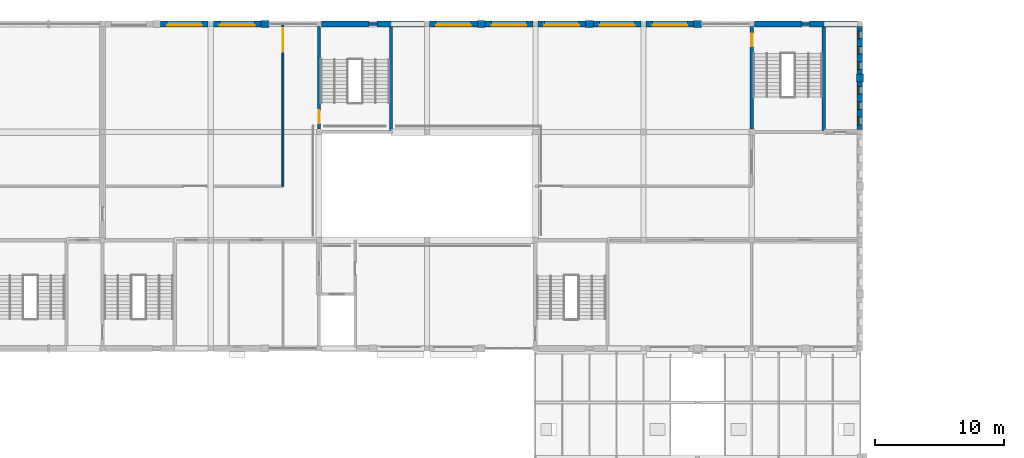
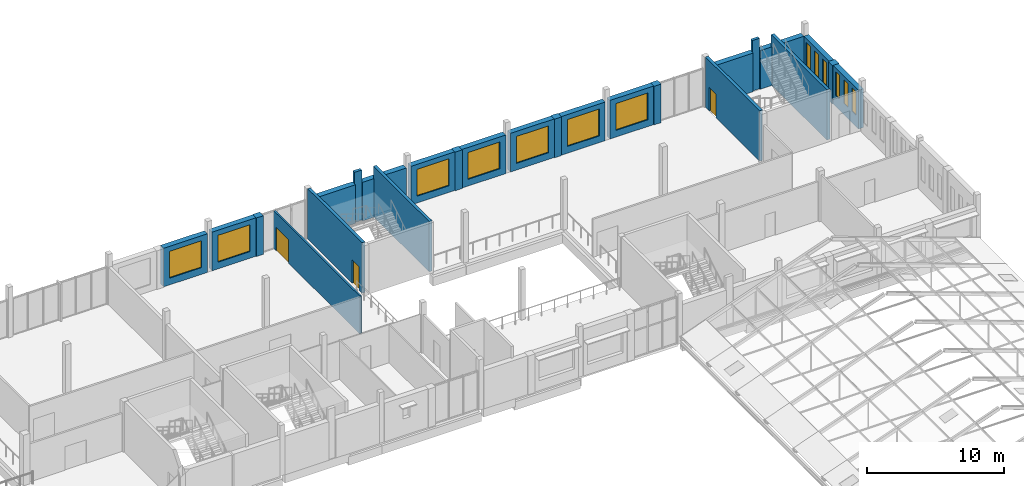
# One storey, part 105 of 116: 25 walls, 13 windows, 3 doors, 16 openings.
"""IFC4 building model written with IfcOpenShell, lengths in metres."""

import ifcopenshell
import ifcopenshell.guid

model = None  # the IFC model being written
_history = None  # IfcOwnerHistory: only IFC2X3 demands one
_inside = {}  # id of a spatial element -> (the spatial element, [elements in it])
_under = {}  # id of a project, library or spatial element -> (it, [spatial elements below it])
_declared = {}  # id of a project -> (the project, [libraries it declares])
_typed = {}  # id of a type object -> (the type object, [elements of that type])
_made_of = {}  # id of a material, layer set ... -> (it, [elements and type objects made of it])


def new_model(schema):
    """Start an empty IFC model of exactly this schema.

    Asked for "IFC4X3", IfcOpenShell would pick the latest addendum, in which some entities
    have other attributes; the version numbers below select the first issue.
    IFC2X3 requires an IfcOwnerHistory on every rooted entity: one is made here for all.
    """
    global model, _history
    if schema == "IFC4X3":
        model = ifcopenshell.file(schema_version=(4, 3, 0, 0))
    else:
        model = ifcopenshell.file(schema=schema)
    _inside.clear()
    _under.clear()
    _declared.clear()
    _typed.clear()
    _made_of.clear()
    _history = None
    if model.schema == "IFC2X3":
        org = make("IfcOrganization", Name="unknown")
        user = make(
            "IfcPersonAndOrganization",
            ThePerson=make("IfcPerson", FamilyName="unknown"),
            TheOrganization=org,
        )
        app = make(
            "IfcApplication",
            ApplicationDeveloper=org,
            Version="unknown",
            ApplicationFullName="unknown",
            ApplicationIdentifier="unknown",
        )
        _history = make(
            "IfcOwnerHistory",
            OwningUser=user,
            OwningApplication=app,
            ChangeAction="ADDED",
            CreationDate=0,
        )
    return model


def make(cls, **values):
    """One entity of the class cls with the attributes given. An attribute that is None is left unset."""
    return model.create_entity(
        cls, **{name: value for name, value in values.items() if value is not None}
    )


def rooted(cls, **values):
    """An entity with a GlobalId (a new one), such as an element, a storey or a relation."""
    return make(cls, GlobalId=ifcopenshell.guid.new(), OwnerHistory=_history, **values)


def si_unit(unit_type, name, prefix=None):
    """IfcSIUnit, for example si_unit("LENGTHUNIT", "METRE", prefix="MILLI")."""
    return make("IfcSIUnit", UnitType=unit_type, Prefix=prefix, Name=name)


def assignment(units):
    """IfcUnitAssignment: the units of a project."""
    return None if units is None else make("IfcUnitAssignment", Units=units)


def point(xyz):
    """IfcCartesianPoint."""
    return None if xyz is None else make("IfcCartesianPoint", Coordinates=xyz)


def direction(xyz):
    """IfcDirection."""
    return None if xyz is None else make("IfcDirection", DirectionRatios=xyz)


def frame(location, z_axis=None, x_axis=None):
    """IfcAxis2Placement3D, a coordinate frame: its origin and axes. An axis left out is left unset."""
    return make(
        "IfcAxis2Placement3D",
        Location=point(location),
        Axis=direction(z_axis),
        RefDirection=direction(x_axis),
    )


def frame_2d(location, x_axis=None):
    """IfcAxis2Placement2D, a coordinate frame in the plane: its origin and x axis."""
    return make(
        "IfcAxis2Placement2D", Location=point(location), RefDirection=direction(x_axis)
    )


def origin():
    """The frame at (0, 0, 0) with its axes left unset."""
    return frame((0.0, 0.0, 0.0))


def place(relative_to, where):
    """IfcLocalPlacement: puts the frame where relative to a parent placement (None: the world)."""
    return make(
        "IfcLocalPlacement", PlacementRelTo=relative_to, RelativePlacement=where
    )


def context(
    kind, dimensions, precision=None, world=None, true_north=None, identifier=None
):
    """IfcGeometricRepresentationContext, for example the 3D "Model" context."""
    return make(
        "IfcGeometricRepresentationContext",
        ContextIdentifier=identifier,
        ContextType=kind,
        CoordinateSpaceDimension=dimensions,
        Precision=precision,
        WorldCoordinateSystem=world,
        TrueNorth=true_north,
    )


def subcontext(parent, identifier, kind, view, scale=None):
    """IfcGeometricRepresentationSubContext, for example "Body" below "Model"."""
    return make(
        "IfcGeometricRepresentationSubContext",
        ContextIdentifier=identifier,
        ContextType=kind,
        ParentContext=parent,
        TargetScale=scale,
        TargetView=view,
    )


def project(units=None, contexts=None):
    """IfcProject with its units and contexts."""
    return rooted(
        "IfcProject",
        Name="project",
        RepresentationContexts=contexts,
        UnitsInContext=assignment(units),
    )


def spatial(cls, under=None, at=None, **own):
    """A site, building, storey or space (cls), placed at a placement, below another one or the project."""
    s = rooted(cls, ObjectPlacement=at, **own)
    if under is not None:
        _under.setdefault(under.id(), (under, []))[1].append(s)
    return s


def profile(cls, at=None, kind="AREA", **sizes):
    """A parametric profile (cls). Its sizes go by their IFC names, for example OverallWidth=200.0."""
    return make(cls, ProfileType=kind, Position=at, **sizes)


def rectangle(**sizes):
    """IfcRectangleProfileDef."""
    return profile("IfcRectangleProfileDef", **sizes)


def extrude(swept, where, along, depth):
    """IfcExtrudedAreaSolid: the profile swept, set in the frame where, extruded along a direction by depth."""
    return make(
        "IfcExtrudedAreaSolid",
        SweptArea=swept,
        Position=where,
        ExtrudedDirection=direction(along),
        Depth=depth,
    )


def shape(context_of_items, identifier, shape_type, items):
    """IfcShapeRepresentation: the items that make up one representation, for example the "Body"."""
    return make(
        "IfcShapeRepresentation",
        ContextOfItems=context_of_items,
        RepresentationIdentifier=identifier,
        RepresentationType=shape_type,
        Items=items,
    )


def material(Name=None, Category=None):
    """IfcMaterial."""
    return make("IfcMaterial", Name=Name, Category=Category)


def layer(
    of_material, thickness, ventilated=None, Name=None, Category=None, Priority=None
):
    """IfcMaterialLayer: one layer of a wall or slab, of a material (None: an air gap)."""
    return make(
        "IfcMaterialLayer",
        Material=of_material,
        LayerThickness=thickness,
        IsVentilated=ventilated,
        Name=Name,
        Category=Category,
        Priority=Priority,
    )


def layer_set(layers, Name=None):
    """IfcMaterialLayerSet."""
    return make("IfcMaterialLayerSet", MaterialLayers=layers, LayerSetName=Name)


def made_of(thing, what):
    """Note that an element or type object is made of a material, layer set ...; save() writes the relation."""
    if what is not None:
        _made_of.setdefault(what.id(), (what, []))[1].append(thing)
    return thing


def type_object(cls, material=None, **own):
    """A type object (cls), such as IfcWallType, which elements share."""
    return made_of(rooted(cls, **own), material)


def element(
    cls,
    number,
    at=None,
    inside=None,
    cuts=None,
    type_object=None,
    material=None,
    context=None,
    identifier="Body",
    shape_type=None,
    held_by="IfcProductDefinitionShape",
    body=None,
    shapes=None,
    **own,
):
    """One element of the class cls, such as IfcWall. Its Tag is "e" and its number.

    at: its placement. inside: the storey or other place that contains it. cuts: it is an
    opening in that element (IfcRelVoidsElement). A single representation is given by context,
    identifier, shape_type and body (its items); several are given by shapes. held_by: the class
    of the entity that holds the representations. save() writes the other relations.
    """
    e = rooted(cls, Tag="e%d" % number, ObjectPlacement=at, **own)
    if body is not None:
        shapes = [shape(context, identifier, shape_type, body)]
    if shapes is not None:
        e.Representation = make(held_by, Representations=shapes)
    if inside is not None:
        _inside.setdefault(inside.id(), (inside, []))[1].append(e)
    if cuts is not None:
        rooted(
            "IfcRelVoidsElement", RelatingBuildingElement=cuts, RelatedOpeningElement=e
        )
    if type_object is not None:
        _typed.setdefault(type_object.id(), (type_object, []))[1].append(e)
    return made_of(e, material)


def fill(opening, filler):
    """IfcRelFillsElement: the door or window that sits in an opening."""
    return rooted(
        "IfcRelFillsElement",
        RelatingOpeningElement=opening,
        RelatedBuildingElement=filler,
    )


def aggregate(whole, parts):
    """IfcRelAggregates: a whole, such as a stair, and the parts it consists of."""
    return rooted("IfcRelAggregates", RelatingObject=whole, RelatedObjects=parts)


def save(model, path):
    """Write the relations noted so far, then the file.

    IfcRelAggregates (storeys below a building ...), IfcRelContainedInSpatialStructure (elements
    in a storey), IfcRelDefinesByType, IfcRelAssociatesMaterial and IfcRelDeclares: one each for
    every whole, place, type object, material and project.
    """
    for whole, parts in _under.values():
        aggregate(whole, parts)
    for where, things in _inside.values():
        rooted(
            "IfcRelContainedInSpatialStructure",
            RelatedElements=things,
            RelatingStructure=where,
        )
    for kind, things in _typed.values():
        rooted("IfcRelDefinesByType", RelatedObjects=things, RelatingType=kind)
    for what, things in _made_of.values():
        rooted("IfcRelAssociatesMaterial", RelatedObjects=things, RelatingMaterial=what)
    for by, libraries in _declared.values():
        rooted("IfcRelDeclares", RelatingContext=by, RelatedDefinitions=libraries)
    model.write(path)


model = new_model("IFC4")

# Units and contexts
model_context = context("Model", 3, precision=1e-05, world=origin(), true_north=direction((0.0, 1.0)))
body_context = subcontext(model_context, "Body", "Model", "MODEL_VIEW")
ifc_project = project(units=[si_unit("LENGTHUNIT", "METRE"), si_unit("AREAUNIT", "SQUARE_METRE"), si_unit("VOLUMEUNIT", "CUBIC_METRE"), si_unit("PLANEANGLEUNIT", "RADIAN"), si_unit("MASSUNIT", "GRAM", prefix="KILO")], contexts=[model_context])

# Site, building, storey
site_placement = place(None, origin())
site = spatial("IfcSite", under=ifc_project, at=site_placement, CompositionType="ELEMENT")
building_placement = place(site_placement, origin())
building = spatial("IfcBuilding", under=site, at=building_placement, Name="Fescue Hill Polytechnic", CompositionType="ELEMENT")
storey_placement = place(building_placement, frame((0.0, 0.0, 13.5)))
storey = spatial("IfcBuildingStorey", under=building, at=storey_placement, Name="L03", CompositionType="ELEMENT", Elevation=13.5)

# Walls
ifc_material_1 = material(Name="Clay brick masonry", Category="masonry")
ifc_layer_1 = layer(ifc_material_1, 0.550048828125)
ifc_layer_set_1 = layer_set([ifc_layer_1], Name="Clay brick masonry")
wall_type_1 = type_object("IfcWallType", Name="Brick pier 600x550", PredefinedType="SOLIDWALL", material=ifc_layer_set_1)
for number, where, z_axis, x_axis, name in (
    (1, (117.60009765625, 129.89990234375, 0.0), (0.0, 0.0, 1.0), (0.0, 1.0, 0.0), "PR-L03-V4b-10"),
    (2, (105.300048828125, 134.39990234375, 0.0), (0.0, 0.0, 1.0), (-1.0, 0.0, 0.0), "PR-L03-V4b-12"),
):
    element("IfcWall", number, at=place(storey_placement, frame(where, z_axis=z_axis, x_axis=x_axis)), inside=storey, type_object=wall_type_1, Name=name, PredefinedType="SOLIDWALL", context=body_context, shape_type="SweptSolid", body=[
        extrude(rectangle(XDim=0.60009765625, YDim=0.550048828125, at=frame_2d((0.300048828125, 0.0))), origin(), (0.0, 0.0, 1.0), 3.449951171875),
    ])
wall_1_placement = place(storey_placement, frame((96.89990234375, 134.39990234375, 0.0), z_axis=(0.0, 0.0, 1.0), x_axis=(-1.0, 0.0, 0.0)))
element("IfcWall", 3, at=wall_1_placement, inside=storey, type_object=wall_type_1, Name="PR-L03-V4b-13", PredefinedType="SOLIDWALL", context=body_context, shape_type="SweptSolid", body=[
    extrude(rectangle(XDim=0.599853515625, YDim=0.550048828125, at=frame_2d((0.2998046875, 0.0))), origin(), (0.0, 0.0, 1.0), 3.449951171875),
])
wall_2_placement = place(storey_placement, frame((88.5, 134.39990234375, 0.0), z_axis=(0.0, 0.0, 1.0), x_axis=(-1.0, 0.0, 0.0)))
element("IfcWall", 4, at=wall_2_placement, inside=storey, type_object=wall_type_1, Name="PR-L03-V4b-14", PredefinedType="SOLIDWALL", context=body_context, shape_type="SweptSolid", body=[
    extrude(rectangle(XDim=0.60009765625, YDim=0.550048828125, at=frame_2d((0.300048828125, 0.0))), origin(), (0.0, 0.0, 1.0), 3.449951171875),
])
wall_3_placement = place(storey_placement, frame((71.699951171875, 134.39990234375, 0.0), z_axis=(0.0, 0.0, 1.0), x_axis=(-1.0, 0.0, 0.0)))
element("IfcWall", 5, at=wall_3_placement, inside=storey, type_object=wall_type_1, Name="PR-L03-V4b-16", PredefinedType="SOLIDWALL", context=body_context, shape_type="SweptSolid", body=[
    extrude(rectangle(XDim=0.599853515625, YDim=0.550048828125, at=frame_2d((0.2998046875, 0.0))), origin(), (0.0, 0.0, 1.0), 3.449951171875),
])

# Wall, opening, door
ifc_material_2 = material(Name="Concrete 40 MPa", Category="concrete")
ifc_layer_2 = layer(ifc_material_2, 0.25)
ifc_layer_set_2 = layer_set([ifc_layer_2], Name="Concrete 40 MPa")
wall_type_2 = type_object("IfcWallType", Name="Core wall 250", PredefinedType="SHEAR", material=ifc_layer_set_2)
wall_4_placement = place(storey_placement, frame((109.199951171875, 126.25, 0.0), z_axis=(0.0, 0.0, 1.0), x_axis=(0.0, 1.0, 0.0)))
wall_4 = element("IfcWall", 6, at=wall_4_placement, inside=storey, type_object=wall_type_2, Name="CW-L03-ST-V4b-2-31", PredefinedType="SHEAR", context=body_context, shape_type="SweptSolid", body=[
    extrude(rectangle(XDim=7.949951171875, YDim=0.25, at=frame_2d((3.97509765625, 0.0))), origin(), (0.0, 0.0, 1.0), 4.5),
])
opening_1_placement = place(wall_4_placement, frame((6.39990234375, 0.0, 0.0)))
opening_1 = element("IfcOpeningElement", 7, at=opening_1_placement, cuts=wall_4, Name="Opening D3046", PredefinedType="OPENING", context=body_context, shape_type="SweptSolid", body=[
    extrude(rectangle(XDim=1.0, YDim=2.10009765625, at=frame_2d((0.5, 1.050048828125))), frame((0.0, 0.135009765625, 0.0), z_axis=(0.0, -1.0, 0.0), x_axis=(1.0, 0.0, 0.0)), (0.0, 0.0, 1.0), 0.27001953125),
])
ifc_material_3 = material(Name="Steel fire door", Category="steel")
door_type_1 = type_object("IfcDoorType", Name="Door single swing 1000x2100 stair fire rated", OperationType="NOTDEFINED", PredefinedType="DOOR", material=ifc_material_3)
door_1_placement = place(opening_1_placement, origin())
door_1 = element("IfcDoor", 8, at=door_1_placement, inside=storey, type_object=door_type_1, Name="L03 ST-V4b-2 stair door", OperationType="SINGLE_SWING_LEFT", OverallHeight=2.10009765625, OverallWidth=1.0, PredefinedType="DOOR", context=body_context, shape_type="SweptSolid", body=[
    extrude(rectangle(XDim=1.0, YDim=2.10009765625, at=frame_2d((0.5, 1.050048828125))), frame((0.0, 0.02490234375, 0.0), z_axis=(0.0, -1.0, 0.0), x_axis=(1.0, 0.0, 0.0)), (0.0, 0.0, 1.0), 0.050048828125),
])
fill(opening_1, door_1)

# Wall
wall_5_placement = place(storey_placement, frame((114.800048828125, 126.125, 0.0), z_axis=(0.0, 0.0, 1.0), x_axis=(0.0, 1.0, 0.0)))
element("IfcWall", 9, at=wall_5_placement, inside=storey, type_object=wall_type_2, Name="CW-L03-ST-V4b-2-41", PredefinedType="SHEAR", context=body_context, shape_type="SweptSolid", body=[
    extrude(rectangle(XDim=8.14990234375, YDim=0.25, at=frame_2d((4.074951171875, 0.0))), origin(), (0.0, 0.0, 1.0), 4.5),
])

# Wall, opening, door
wall_6_placement = place(storey_placement, frame((75.60009765625, 126.22509765625, 0.0), z_axis=(0.0, 0.0, 1.0), x_axis=(0.0, 1.0, 0.0)))
wall_6 = element("IfcWall", 10, at=wall_6_placement, inside=storey, type_object=wall_type_2, Name="CW-L03-ST-V4b-4-31", PredefinedType="SHEAR", context=body_context, shape_type="SweptSolid", body=[
    extrude(rectangle(XDim=7.974853515625, YDim=0.25, at=frame_2d((3.9873046875, 0.0))), origin(), (0.0, 0.0, 1.0), 4.5),
])
opening_2_placement = place(wall_6_placement, frame((0.449951171875, 0.0, 0.0)))
opening_2 = element("IfcOpeningElement", 11, at=opening_2_placement, cuts=wall_6, Name="Opening D3048", PredefinedType="OPENING", context=body_context, shape_type="SweptSolid", body=[
    extrude(rectangle(XDim=1.0, YDim=2.10009765625, at=frame_2d((0.5, 1.050048828125))), frame((0.0, 0.135009765625, 0.0), z_axis=(0.0, -1.0, 0.0), x_axis=(1.0, 0.0, 0.0)), (0.0, 0.0, 1.0), 0.27001953125),
])
door_2_placement = place(opening_2_placement, origin())
door_2 = element("IfcDoor", 12, at=door_2_placement, inside=storey, type_object=door_type_1, Name="L03 ST-V4b-4 stair door", OperationType="SINGLE_SWING_LEFT", OverallHeight=2.10009765625, OverallWidth=1.0, PredefinedType="DOOR", context=body_context, shape_type="SweptSolid", body=[
    extrude(rectangle(XDim=1.0, YDim=2.10009765625, at=frame_2d((0.5, 1.050048828125))), frame((0.0, 0.02490234375, 0.0), z_axis=(0.0, -1.0, 0.0), x_axis=(1.0, 0.0, 0.0)), (0.0, 0.0, 1.0), 0.050048828125),
])
fill(opening_2, door_2)

# Walls
wall_7_placement = place(storey_placement, frame((81.199951171875, 126.125, 0.0), z_axis=(0.0, 0.0, 1.0), x_axis=(0.0, 1.0, 0.0)))
element("IfcWall", 13, at=wall_7_placement, inside=storey, type_object=wall_type_2, Name="CW-L03-ST-V4b-4-41", PredefinedType="SHEAR", context=body_context, shape_type="SweptSolid", body=[
    extrude(rectangle(XDim=8.14990234375, YDim=0.25, at=frame_2d((4.074951171875, 0.0))), origin(), (0.0, 0.0, 1.0), 4.5),
])
wall_8_placement = place(storey_placement, frame((113.10009765625, 134.39990234375, 0.0), z_axis=(0.0, 0.0, 1.0), x_axis=(1.0, 0.0, 0.0)))
element("IfcWall", 14, at=wall_8_placement, inside=storey, type_object=wall_type_2, Name="SCW-L03-ST-V4b-2-n1", PredefinedType="SHEAR", context=body_context, shape_type="SweptSolid", body=[
    extrude(rectangle(XDim=0.599853515625, YDim=0.25, at=frame_2d((0.2998046875, 0.0))), origin(), (0.0, 0.0, 1.0), 4.5),
])
wall_9_placement = place(storey_placement, frame((79.5, 134.39990234375, 0.0), z_axis=(0.0, 0.0, 1.0), x_axis=(1.0, 0.0, 0.0)))
element("IfcWall", 15, at=wall_9_placement, inside=storey, type_object=wall_type_2, Name="SCW-L03-ST-V4b-4-n1", PredefinedType="SHEAR", context=body_context, shape_type="SweptSolid", body=[
    extrude(rectangle(XDim=0.60009765625, YDim=0.25, at=frame_2d((0.300048828125, 0.0))), origin(), (0.0, 0.0, 1.0), 4.5),
])

# Wall, opening, door
ifc_material_4 = material(Name="Gypsum board partition")
ifc_layer_3 = layer(ifc_material_4, 0.14990234375)
ifc_layer_set_3 = layer_set([ifc_layer_3], Name="Gypsum board partition")
wall_type_3 = type_object("IfcWallType", Name="Corridor wall 150 EI 45", PredefinedType="PARTITIONING", material=ifc_layer_set_3)
wall_10_placement = place(storey_placement, frame((72.800048828125, 121.800048828125, 0.0), z_axis=(0.0, 0.0, 1.0), x_axis=(0.0, 1.0, 0.0)))
wall_10 = element("IfcWall", 16, at=wall_10_placement, inside=storey, type_object=wall_type_3, Name="IW-L03-055", PredefinedType="PARTITIONING", context=body_context, shape_type="SweptSolid", body=[
    extrude(rectangle(XDim=12.599853515625, YDim=0.14990234375, at=frame_2d((6.2998046875, 0.0))), origin(), (0.0, 0.0, 1.0), 3.3701171875),
])
opening_3_placement = place(wall_10_placement, frame((10.449951171875, 0.0, 0.0)))
opening_3 = element("IfcOpeningElement", 17, at=opening_3_placement, cuts=wall_10, Name="Opening D3033", PredefinedType="OPENING", context=body_context, shape_type="SweptSolid", body=[
    extrude(rectangle(XDim=1.800048828125, YDim=2.10009765625, at=frame_2d((0.89990234375, 1.050048828125))), frame((0.0, 0.0849609375, 0.0), z_axis=(0.0, -1.0, 0.0), x_axis=(1.0, 0.0, 0.0)), (0.0, 0.0, 1.0), 0.169921875),
])
ifc_material_5 = material(Name="Timber", Category="wood")
door_type_2 = type_object("IfcDoorType", Name="Door double swing 1800x2100 FD30S", OperationType="DOUBLE_DOOR_SINGLE_SWING", PredefinedType="DOOR", material=ifc_material_5)
door_3_placement = place(opening_3_placement, origin())
door_3 = element("IfcDoor", 18, at=door_3_placement, inside=storey, type_object=door_type_2, Name="Door D3033", OperationType="DOUBLE_DOOR_SINGLE_SWING", OverallHeight=2.10009765625, OverallWidth=1.800048828125, PredefinedType="DOOR", context=body_context, shape_type="SweptSolid", body=[
    extrude(rectangle(XDim=1.800048828125, YDim=2.10009765625, at=frame_2d((0.89990234375, 1.050048828125))), frame((0.0, 0.02490234375, 0.0), z_axis=(0.0, -1.0, 0.0), x_axis=(1.0, 0.0, 0.0)), (0.0, 0.0, 1.0), 0.050048828125),
])
fill(opening_3, door_3)

# Wall, opening, window
ifc_layer_4 = layer(ifc_material_2, 0.449951171875)
ifc_layer_set_4 = layer_set([ifc_layer_4], Name="Concrete 40 MPa")
wall_type_4 = type_object("IfcWallType", Name="Exterior wall board-marked concrete 450", PredefinedType="SOLIDWALL", material=ifc_layer_set_4)
wall_11_placement = place(storey_placement, frame((104.699951171875, 134.39990234375, 0.0), z_axis=(0.0, 0.0, 1.0), x_axis=(-1.0, 0.0, 0.0)))
wall_11 = element("IfcWall", 19, at=wall_11_placement, inside=storey, type_object=wall_type_4, Name="EW-L03-V4b-24", PredefinedType="SOLIDWALL", context=body_context, shape_type="SweptSolid", body=[
    extrude(rectangle(XDim=3.699951171875, YDim=0.449951171875, at=frame_2d((1.85009765625, 0.0))), origin(), (0.0, 0.0, 1.0), 3.449951171875),
])
opening_4_placement = place(wall_11_placement, frame((0.5, 0.0, 0.60009765625)))
opening_4 = element("IfcOpeningElement", 20, at=opening_4_placement, cuts=wall_11, Name="Opening W16R", PredefinedType="OPENING", context=body_context, shape_type="SweptSolid", body=[
    extrude(rectangle(XDim=2.699951171875, YDim=2.39990234375, at=frame_2d((1.35009765625, 1.199951171875))), frame((0.0, 0.23486328125, 0.0), z_axis=(0.0, -1.0, 0.0), x_axis=(1.0, 0.0, 0.0)), (0.0, 0.0, 1.0), 0.469970703125),
])
ifc_material_6 = material(Name="Powder-coated aluminium and glass", Category="aluminium")
window_type_1 = type_object("IfcWindowType", Name="Window studio north-light 2700x2400", PartitioningType="TRIPLE_PANEL_VERTICAL", PredefinedType="WINDOW", material=ifc_material_6)
window_1_placement = place(opening_4_placement, origin())
window_1 = element("IfcWindow", 21, at=window_1_placement, inside=storey, type_object=window_type_1, Name="WN-L03-V4b-26", OverallHeight=2.39990234375, OverallWidth=2.699951171875, PartitioningType="SINGLE_PANEL", PredefinedType="WINDOW", context=body_context, shape_type="SweptSolid", body=[
    extrude(rectangle(XDim=2.699951171875, YDim=2.39990234375, at=frame_2d((1.35009765625, 1.199951171875))), frame((0.0, 0.135009765625, 0.0), z_axis=(0.0, -1.0, 0.0), x_axis=(1.0, 0.0, 0.0)), (0.0, 0.0, 1.0), 0.06005859375),
])
fill(opening_4, window_1)

wall_12_placement = place(storey_placement, frame((100.60009765625, 134.39990234375, 0.0), z_axis=(0.0, 0.0, 1.0), x_axis=(-1.0, 0.0, 0.0)))
wall_12 = element("IfcWall", 22, at=wall_12_placement, inside=storey, type_object=wall_type_4, Name="EW-L03-V4b-25", PredefinedType="SOLIDWALL", context=body_context, shape_type="SweptSolid", body=[
    extrude(rectangle(XDim=3.7001953125, YDim=0.449951171875, at=frame_2d((1.85009765625, 0.0))), origin(), (0.0, 0.0, 1.0), 3.449951171875),
])
opening_5_placement = place(wall_12_placement, frame((0.5, 0.0, 0.60009765625)))
opening_5 = element("IfcOpeningElement", 23, at=opening_5_placement, cuts=wall_12, Name="Opening W16R", PredefinedType="OPENING", context=body_context, shape_type="SweptSolid", body=[
    extrude(rectangle(XDim=2.699951171875, YDim=2.39990234375, at=frame_2d((1.35009765625, 1.199951171875))), frame((0.0, 0.23486328125, 0.0), z_axis=(0.0, -1.0, 0.0), x_axis=(1.0, 0.0, 0.0)), (0.0, 0.0, 1.0), 0.469970703125),
])
window_2_placement = place(opening_5_placement, origin())
window_2 = element("IfcWindow", 24, at=window_2_placement, inside=storey, type_object=window_type_1, Name="WN-L03-V4b-27", OverallHeight=2.39990234375, OverallWidth=2.699951171875, PartitioningType="SINGLE_PANEL", PredefinedType="WINDOW", context=body_context, shape_type="SweptSolid", body=[
    extrude(rectangle(XDim=2.699951171875, YDim=2.39990234375, at=frame_2d((1.35009765625, 1.199951171875))), frame((0.0, 0.135009765625, 0.0), z_axis=(0.0, -1.0, 0.0), x_axis=(1.0, 0.0, 0.0)), (0.0, 0.0, 1.0), 0.06005859375),
])
fill(opening_5, window_2)

wall_13_placement = place(storey_placement, frame((96.300048828125, 134.39990234375, 0.0), z_axis=(0.0, 0.0, 1.0), x_axis=(-1.0, 0.0, 0.0)))
wall_13 = element("IfcWall", 25, at=wall_13_placement, inside=storey, type_object=wall_type_4, Name="EW-L03-V4b-26", PredefinedType="SOLIDWALL", context=body_context, shape_type="SweptSolid", body=[
    extrude(rectangle(XDim=3.699951171875, YDim=0.449951171875, at=frame_2d((1.85009765625, 0.0))), origin(), (0.0, 0.0, 1.0), 3.449951171875),
])
opening_6_placement = place(wall_13_placement, frame((0.5, 0.0, 0.60009765625)))
opening_6 = element("IfcOpeningElement", 26, at=opening_6_placement, cuts=wall_13, Name="Opening W16R", PredefinedType="OPENING", context=body_context, shape_type="SweptSolid", body=[
    extrude(rectangle(XDim=2.699951171875, YDim=2.39990234375, at=frame_2d((1.35009765625, 1.199951171875))), frame((0.0, 0.23486328125, 0.0), z_axis=(0.0, -1.0, 0.0), x_axis=(1.0, 0.0, 0.0)), (0.0, 0.0, 1.0), 0.469970703125),
])
window_3_placement = place(opening_6_placement, origin())
window_3 = element("IfcWindow", 27, at=window_3_placement, inside=storey, type_object=window_type_1, Name="WN-L03-V4b-28", OverallHeight=2.39990234375, OverallWidth=2.699951171875, PartitioningType="SINGLE_PANEL", PredefinedType="WINDOW", context=body_context, shape_type="SweptSolid", body=[
    extrude(rectangle(XDim=2.699951171875, YDim=2.39990234375, at=frame_2d((1.35009765625, 1.199951171875))), frame((0.0, 0.135009765625, 0.0), z_axis=(0.0, -1.0, 0.0), x_axis=(1.0, 0.0, 0.0)), (0.0, 0.0, 1.0), 0.06005859375),
])
fill(opening_6, window_3)

wall_14_placement = place(storey_placement, frame((92.199951171875, 134.39990234375, 0.0), z_axis=(0.0, 0.0, 1.0), x_axis=(-1.0, 0.0, 0.0)))
wall_14 = element("IfcWall", 28, at=wall_14_placement, inside=storey, type_object=wall_type_4, Name="EW-L03-V4b-27", PredefinedType="SOLIDWALL", context=body_context, shape_type="SweptSolid", body=[
    extrude(rectangle(XDim=3.699951171875, YDim=0.449951171875, at=frame_2d((1.85009765625, 0.0))), origin(), (0.0, 0.0, 1.0), 3.449951171875),
])
opening_7_placement = place(wall_14_placement, frame((0.5, 0.0, 0.60009765625)))
opening_7 = element("IfcOpeningElement", 29, at=opening_7_placement, cuts=wall_14, Name="Opening W16R", PredefinedType="OPENING", context=body_context, shape_type="SweptSolid", body=[
    extrude(rectangle(XDim=2.699951171875, YDim=2.39990234375, at=frame_2d((1.35009765625, 1.199951171875))), frame((0.0, 0.23486328125, 0.0), z_axis=(0.0, -1.0, 0.0), x_axis=(1.0, 0.0, 0.0)), (0.0, 0.0, 1.0), 0.469970703125),
])
window_4_placement = place(opening_7_placement, origin())
window_4 = element("IfcWindow", 30, at=window_4_placement, inside=storey, type_object=window_type_1, Name="WN-L03-V4b-29", OverallHeight=2.39990234375, OverallWidth=2.699951171875, PartitioningType="SINGLE_PANEL", PredefinedType="WINDOW", context=body_context, shape_type="SweptSolid", body=[
    extrude(rectangle(XDim=2.699951171875, YDim=2.39990234375, at=frame_2d((1.35009765625, 1.199951171875))), frame((0.0, 0.135009765625, 0.0), z_axis=(0.0, -1.0, 0.0), x_axis=(1.0, 0.0, 0.0)), (0.0, 0.0, 1.0), 0.06005859375),
])
fill(opening_7, window_4)

wall_15_placement = place(storey_placement, frame((87.89990234375, 134.39990234375, 0.0), z_axis=(0.0, 0.0, 1.0), x_axis=(-1.0, 0.0, 0.0)))
wall_15 = element("IfcWall", 31, at=wall_15_placement, inside=storey, type_object=wall_type_4, Name="EW-L03-V4b-28", PredefinedType="SOLIDWALL", context=body_context, shape_type="SweptSolid", body=[
    extrude(rectangle(XDim=3.699951171875, YDim=0.449951171875, at=frame_2d((1.85009765625, 0.0))), origin(), (0.0, 0.0, 1.0), 3.449951171875),
])
opening_8_placement = place(wall_15_placement, frame((0.5, 0.0, 0.60009765625)))
opening_8 = element("IfcOpeningElement", 32, at=opening_8_placement, cuts=wall_15, Name="Opening W16R", PredefinedType="OPENING", context=body_context, shape_type="SweptSolid", body=[
    extrude(rectangle(XDim=2.699951171875, YDim=2.39990234375, at=frame_2d((1.35009765625, 1.199951171875))), frame((0.0, 0.23486328125, 0.0), z_axis=(0.0, -1.0, 0.0), x_axis=(1.0, 0.0, 0.0)), (0.0, 0.0, 1.0), 0.469970703125),
])
window_5_placement = place(opening_8_placement, origin())
window_5 = element("IfcWindow", 33, at=window_5_placement, inside=storey, type_object=window_type_1, Name="WN-L03-V4b-30", OverallHeight=2.39990234375, OverallWidth=2.699951171875, PartitioningType="SINGLE_PANEL", PredefinedType="WINDOW", context=body_context, shape_type="SweptSolid", body=[
    extrude(rectangle(XDim=2.699951171875, YDim=2.39990234375, at=frame_2d((1.35009765625, 1.199951171875))), frame((0.0, 0.135009765625, 0.0), z_axis=(0.0, -1.0, 0.0), x_axis=(1.0, 0.0, 0.0)), (0.0, 0.0, 1.0), 0.06005859375),
])
fill(opening_8, window_5)

wall_16_placement = place(storey_placement, frame((71.10009765625, 134.39990234375, 0.0), z_axis=(0.0, 0.0, 1.0), x_axis=(-1.0, 0.0, 0.0)))
wall_16 = element("IfcWall", 34, at=wall_16_placement, inside=storey, type_object=wall_type_4, Name="EW-L03-V4b-32", PredefinedType="SOLIDWALL", context=body_context, shape_type="SweptSolid", body=[
    extrude(rectangle(XDim=3.7001953125, YDim=0.449951171875, at=frame_2d((1.85009765625, 0.0))), origin(), (0.0, 0.0, 1.0), 3.449951171875),
])
opening_9_placement = place(wall_16_placement, frame((0.5, 0.0, 0.60009765625)))
opening_9 = element("IfcOpeningElement", 35, at=opening_9_placement, cuts=wall_16, Name="Opening W16R", PredefinedType="OPENING", context=body_context, shape_type="SweptSolid", body=[
    extrude(rectangle(XDim=2.699951171875, YDim=2.39990234375, at=frame_2d((1.35009765625, 1.199951171875))), frame((0.0, 0.23486328125, 0.0), z_axis=(0.0, -1.0, 0.0), x_axis=(1.0, 0.0, 0.0)), (0.0, 0.0, 1.0), 0.469970703125),
])
window_6_placement = place(opening_9_placement, origin())
window_6 = element("IfcWindow", 36, at=window_6_placement, inside=storey, type_object=window_type_1, Name="WN-L03-V4b-31", OverallHeight=2.39990234375, OverallWidth=2.699951171875, PartitioningType="SINGLE_PANEL", PredefinedType="WINDOW", context=body_context, shape_type="SweptSolid", body=[
    extrude(rectangle(XDim=2.699951171875, YDim=2.39990234375, at=frame_2d((1.35009765625, 1.199951171875))), frame((0.0, 0.135009765625, 0.0), z_axis=(0.0, -1.0, 0.0), x_axis=(1.0, 0.0, 0.0)), (0.0, 0.0, 1.0), 0.06005859375),
])
fill(opening_9, window_6)

wall_17_placement = place(storey_placement, frame((67.0, 134.39990234375, 0.0), z_axis=(0.0, 0.0, 1.0), x_axis=(-1.0, 0.0, 0.0)))
wall_17 = element("IfcWall", 37, at=wall_17_placement, inside=storey, type_object=wall_type_4, Name="EW-L03-V4b-33", PredefinedType="SOLIDWALL", context=body_context, shape_type="SweptSolid", body=[
    extrude(rectangle(XDim=3.699951171875, YDim=0.449951171875, at=frame_2d((1.85009765625, 0.0))), origin(), (0.0, 0.0, 1.0), 3.449951171875),
])
opening_10_placement = place(wall_17_placement, frame((0.5, 0.0, 0.60009765625)))
opening_10 = element("IfcOpeningElement", 38, at=opening_10_placement, cuts=wall_17, Name="Opening W16R", PredefinedType="OPENING", context=body_context, shape_type="SweptSolid", body=[
    extrude(rectangle(XDim=2.699951171875, YDim=2.39990234375, at=frame_2d((1.35009765625, 1.199951171875))), frame((0.0, 0.23486328125, 0.0), z_axis=(0.0, -1.0, 0.0), x_axis=(1.0, 0.0, 0.0)), (0.0, 0.0, 1.0), 0.469970703125),
])
window_7_placement = place(opening_10_placement, origin())
window_7 = element("IfcWindow", 39, at=window_7_placement, inside=storey, type_object=window_type_1, Name="WN-L03-V4b-32", OverallHeight=2.39990234375, OverallWidth=2.699951171875, PartitioningType="SINGLE_PANEL", PredefinedType="WINDOW", context=body_context, shape_type="SweptSolid", body=[
    extrude(rectangle(XDim=2.699951171875, YDim=2.39990234375, at=frame_2d((1.35009765625, 1.199951171875))), frame((0.0, 0.135009765625, 0.0), z_axis=(0.0, -1.0, 0.0), x_axis=(1.0, 0.0, 0.0)), (0.0, 0.0, 1.0), 0.06005859375),
])
fill(opening_10, window_7)

# Walls
ifc_layer_5 = layer(ifc_material_2, 0.449951171875)
ifc_layer_set_5 = layer_set([ifc_layer_5], Name="Concrete 40 MPa")
wall_type_5 = type_object("IfcWallType", Name="Exterior wall board-marked concrete 450 load-bearing", PredefinedType="SOLIDWALL", material=ifc_layer_set_5)
wall_18_placement = place(storey_placement, frame((117.39990234375, 134.39990234375, 0.0), z_axis=(0.0, 0.0, 1.0), x_axis=(-1.0, 0.0, 0.0)))
element("IfcWall", 40, at=wall_18_placement, inside=storey, type_object=wall_type_5, Name="EW-L03-V4b-21", PredefinedType="SOLIDWALL", context=body_context, shape_type="SweptSolid", body=[
    extrude(rectangle(XDim=3.699951171875, YDim=0.449951171875, at=frame_2d((1.85009765625, 0.0))), origin(), (0.0, 0.0, 1.0), 3.449951171875),
])
wall_19_placement = place(storey_placement, frame((113.10009765625, 134.39990234375, 0.0), z_axis=(0.0, 0.0, 1.0), x_axis=(-1.0, 0.0, 0.0)))
element("IfcWall", 41, at=wall_19_placement, inside=storey, type_object=wall_type_5, Name="EW-L03-V4b-22", PredefinedType="SOLIDWALL", context=body_context, shape_type="SweptSolid", body=[
    extrude(rectangle(XDim=3.7001953125, YDim=0.449951171875, at=frame_2d((1.85009765625, 0.0))), origin(), (0.0, 0.0, 1.0), 3.449951171875),
])
for number, where, z_axis, x_axis, name in (
    (42, (83.800048828125, 134.39990234375, 0.0), (0.0, 0.0, 1.0), (-1.0, 0.0, 0.0), "EW-L03-V4b-29"),
    (43, (79.5, 134.39990234375, 0.0), (0.0, 0.0, 1.0), (-1.0, 0.0, 0.0), "EW-L03-V4b-30"),
):
    element("IfcWall", number, at=place(storey_placement, frame(where, z_axis=z_axis, x_axis=x_axis)), inside=storey, type_object=wall_type_5, Name=name, PredefinedType="SOLIDWALL", context=body_context, shape_type="SweptSolid", body=[
        extrude(rectangle(XDim=3.699951171875, YDim=0.449951171875, at=frame_2d((1.85009765625, 0.0))), origin(), (0.0, 0.0, 1.0), 3.449951171875),
    ])

# Wall, openings, windows
ifc_layer_6 = layer(ifc_material_1, 0.419921875)
ifc_layer_set_6 = layer_set([ifc_layer_6], Name="Clay brick masonry")
wall_type_6 = type_object("IfcWallType", Name="Exterior wall buff-red brick cavity 420", PredefinedType="SOLIDWALL", material=ifc_layer_set_6)
wall_20_placement = place(storey_placement, frame((117.60009765625, 126.199951171875, 0.0), z_axis=(0.0, 0.0, 1.0), x_axis=(0.0, 1.0, 0.0)))
wall_20 = element("IfcWall", 44, at=wall_20_placement, inside=storey, type_object=wall_type_6, Name="EW-L03-V4b-19", PredefinedType="SOLIDWALL", context=body_context, shape_type="SweptSolid", body=[
    extrude(rectangle(XDim=3.699951171875, YDim=0.419921875, at=frame_2d((1.85009765625, 0.0))), origin(), (0.0, 0.0, 1.0), 3.449951171875),
])
opening_11_placement = place(wall_20_placement, frame((0.35009765625, 0.0, 1.0)))
opening_11 = element("IfcOpeningElement", 45, at=opening_11_placement, cuts=wall_20, Name="Opening W6", PredefinedType="OPENING", context=body_context, shape_type="SweptSolid", body=[
    extrude(rectangle(XDim=0.60009765625, YDim=2.10009765625, at=frame_2d((0.300048828125, 1.050048828125))), frame((0.0, 0.219970703125, 0.0), z_axis=(0.0, -1.0, 0.0), x_axis=(1.0, 0.0, 0.0)), (0.0, 0.0, 1.0), 0.43994140625),
])
opening_12_placement = place(wall_20_placement, frame((1.550048828125, 0.0, 1.0)))
opening_12 = element("IfcOpeningElement", 46, at=opening_12_placement, cuts=wall_20, Name="Opening W6", PredefinedType="OPENING", context=body_context, shape_type="SweptSolid", body=[
    extrude(rectangle(XDim=0.60009765625, YDim=2.10009765625, at=frame_2d((0.300048828125, 1.050048828125))), frame((0.0, 0.219970703125, 0.0), z_axis=(0.0, -1.0, 0.0), x_axis=(1.0, 0.0, 0.0)), (0.0, 0.0, 1.0), 0.43994140625),
])
opening_13_placement = place(wall_20_placement, frame((2.75, 0.0, 1.0)))
opening_13 = element("IfcOpeningElement", 47, at=opening_13_placement, cuts=wall_20, Name="Opening W6", PredefinedType="OPENING", context=body_context, shape_type="SweptSolid", body=[
    extrude(rectangle(XDim=0.60009765625, YDim=2.10009765625, at=frame_2d((0.300048828125, 1.050048828125))), frame((0.0, 0.219970703125, 0.0), z_axis=(0.0, -1.0, 0.0), x_axis=(1.0, 0.0, 0.0)), (0.0, 0.0, 1.0), 0.43994140625),
])
window_type_2 = type_object("IfcWindowType", Name="Window slot 600x2100", PartitioningType="SINGLE_PANEL", PredefinedType="WINDOW", material=ifc_material_6)
window_8_placement = place(opening_11_placement, origin())
window_8 = element("IfcWindow", 48, at=window_8_placement, inside=storey, type_object=window_type_2, Name="WN-L03-V4b-20", OverallHeight=2.10009765625, OverallWidth=0.60009765625, PartitioningType="SINGLE_PANEL", PredefinedType="WINDOW", context=body_context, shape_type="SweptSolid", body=[
    extrude(rectangle(XDim=0.60009765625, YDim=2.10009765625, at=frame_2d((0.300048828125, 1.050048828125))), frame((0.0, 0.150146484375, 0.0), z_axis=(0.0, -1.0, 0.0), x_axis=(1.0, 0.0, 0.0)), (0.0, 0.0, 1.0), 0.06005859375),
])
fill(opening_11, window_8)
window_9_placement = place(opening_12_placement, origin())
window_9 = element("IfcWindow", 49, at=window_9_placement, inside=storey, type_object=window_type_2, Name="WN-L03-V4b-21", OverallHeight=2.10009765625, OverallWidth=0.60009765625, PartitioningType="SINGLE_PANEL", PredefinedType="WINDOW", context=body_context, shape_type="SweptSolid", body=[
    extrude(rectangle(XDim=0.60009765625, YDim=2.10009765625, at=frame_2d((0.300048828125, 1.050048828125))), frame((0.0, 0.150146484375, 0.0), z_axis=(0.0, -1.0, 0.0), x_axis=(1.0, 0.0, 0.0)), (0.0, 0.0, 1.0), 0.06005859375),
])
fill(opening_12, window_9)
window_10_placement = place(opening_13_placement, origin())
window_10 = element("IfcWindow", 50, at=window_10_placement, inside=storey, type_object=window_type_2, Name="WN-L03-V4b-22", OverallHeight=2.10009765625, OverallWidth=0.60009765625, PartitioningType="SINGLE_PANEL", PredefinedType="WINDOW", context=body_context, shape_type="SweptSolid", body=[
    extrude(rectangle(XDim=0.60009765625, YDim=2.10009765625, at=frame_2d((0.300048828125, 1.050048828125))), frame((0.0, 0.150146484375, 0.0), z_axis=(0.0, -1.0, 0.0), x_axis=(1.0, 0.0, 0.0)), (0.0, 0.0, 1.0), 0.06005859375),
])
fill(opening_13, window_10)

wall_21_placement = place(storey_placement, frame((117.60009765625, 130.5, 0.0), z_axis=(0.0, 0.0, 1.0), x_axis=(0.0, 1.0, 0.0)))
wall_21 = element("IfcWall", 51, at=wall_21_placement, inside=storey, type_object=wall_type_6, Name="EW-L03-V4b-20", PredefinedType="SOLIDWALL", context=body_context, shape_type="SweptSolid", body=[
    extrude(rectangle(XDim=3.699951171875, YDim=0.419921875, at=frame_2d((1.85009765625, 0.0))), origin(), (0.0, 0.0, 1.0), 3.449951171875),
])
opening_14_placement = place(wall_21_placement, frame((0.35009765625, 0.0, 1.0)))
opening_14 = element("IfcOpeningElement", 52, at=opening_14_placement, cuts=wall_21, Name="Opening W6", PredefinedType="OPENING", context=body_context, shape_type="SweptSolid", body=[
    extrude(rectangle(XDim=0.60009765625, YDim=2.10009765625, at=frame_2d((0.300048828125, 1.050048828125))), frame((0.0, 0.219970703125, 0.0), z_axis=(0.0, -1.0, 0.0), x_axis=(1.0, 0.0, 0.0)), (0.0, 0.0, 1.0), 0.43994140625),
])
opening_15_placement = place(wall_21_placement, frame((1.550048828125, 0.0, 1.0)))
opening_15 = element("IfcOpeningElement", 53, at=opening_15_placement, cuts=wall_21, Name="Opening W6", PredefinedType="OPENING", context=body_context, shape_type="SweptSolid", body=[
    extrude(rectangle(XDim=0.60009765625, YDim=2.10009765625, at=frame_2d((0.300048828125, 1.050048828125))), frame((0.0, 0.219970703125, 0.0), z_axis=(0.0, -1.0, 0.0), x_axis=(1.0, 0.0, 0.0)), (0.0, 0.0, 1.0), 0.43994140625),
])
opening_16_placement = place(wall_21_placement, frame((2.75, 0.0, 1.0)))
opening_16 = element("IfcOpeningElement", 54, at=opening_16_placement, cuts=wall_21, Name="Opening W6", PredefinedType="OPENING", context=body_context, shape_type="SweptSolid", body=[
    extrude(rectangle(XDim=0.60009765625, YDim=2.10009765625, at=frame_2d((0.300048828125, 1.050048828125))), frame((0.0, 0.219970703125, 0.0), z_axis=(0.0, -1.0, 0.0), x_axis=(1.0, 0.0, 0.0)), (0.0, 0.0, 1.0), 0.43994140625),
])
window_11_placement = place(opening_14_placement, origin())
window_11 = element("IfcWindow", 55, at=window_11_placement, inside=storey, type_object=window_type_2, Name="WN-L03-V4b-23", OverallHeight=2.10009765625, OverallWidth=0.60009765625, PartitioningType="SINGLE_PANEL", PredefinedType="WINDOW", context=body_context, shape_type="SweptSolid", body=[
    extrude(rectangle(XDim=0.60009765625, YDim=2.10009765625, at=frame_2d((0.300048828125, 1.050048828125))), frame((0.0, 0.150146484375, 0.0), z_axis=(0.0, -1.0, 0.0), x_axis=(1.0, 0.0, 0.0)), (0.0, 0.0, 1.0), 0.06005859375),
])
fill(opening_14, window_11)
window_12_placement = place(opening_15_placement, origin())
window_12 = element("IfcWindow", 56, at=window_12_placement, inside=storey, type_object=window_type_2, Name="WN-L03-V4b-24", OverallHeight=2.10009765625, OverallWidth=0.60009765625, PartitioningType="SINGLE_PANEL", PredefinedType="WINDOW", context=body_context, shape_type="SweptSolid", body=[
    extrude(rectangle(XDim=0.60009765625, YDim=2.10009765625, at=frame_2d((0.300048828125, 1.050048828125))), frame((0.0, 0.150146484375, 0.0), z_axis=(0.0, -1.0, 0.0), x_axis=(1.0, 0.0, 0.0)), (0.0, 0.0, 1.0), 0.06005859375),
])
fill(opening_15, window_12)
window_13_placement = place(opening_16_placement, origin())
window_13 = element("IfcWindow", 57, at=window_13_placement, inside=storey, type_object=window_type_2, Name="WN-L03-V4b-25", OverallHeight=2.10009765625, OverallWidth=0.60009765625, PartitioningType="SINGLE_PANEL", PredefinedType="WINDOW", context=body_context, shape_type="SweptSolid", body=[
    extrude(rectangle(XDim=0.60009765625, YDim=2.10009765625, at=frame_2d((0.300048828125, 1.050048828125))), frame((0.0, 0.150146484375, 0.0), z_axis=(0.0, -1.0, 0.0), x_axis=(1.0, 0.0, 0.0)), (0.0, 0.0, 1.0), 0.06005859375),
])
fill(opening_16, window_13)

save(model, "model.ifc")
